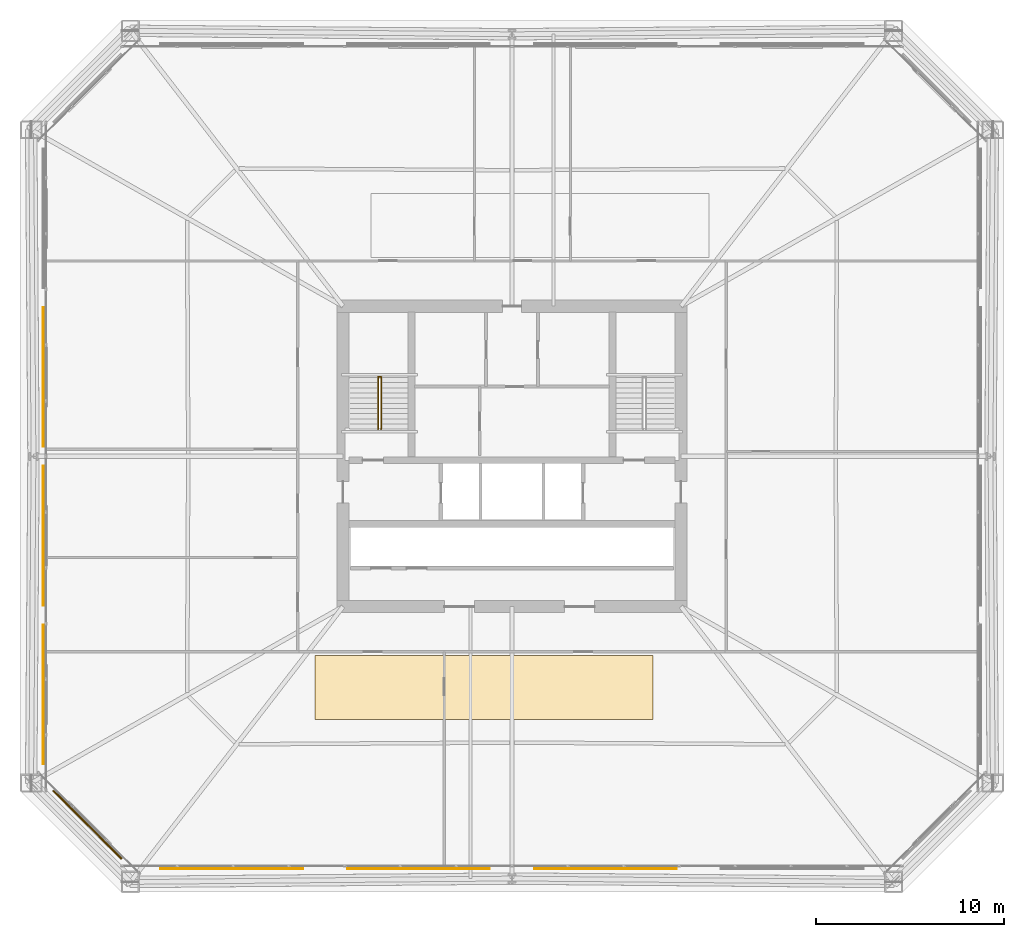
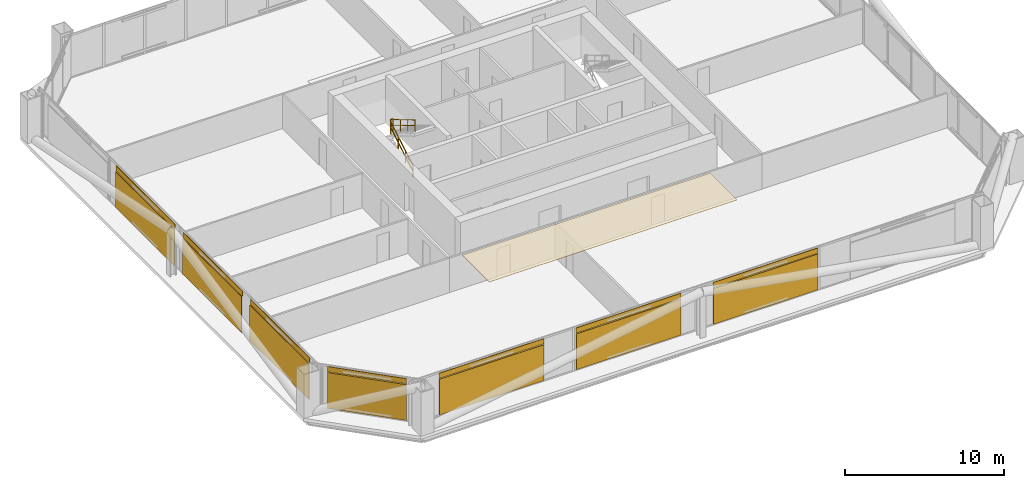
# One storey, part 48 of 50: 8 coverings, 7 shading devices, 3 railings.
"""IFC4 building model written with IfcOpenShell, lengths in metres."""

from ifc_helpers import new_model, si_unit, direction, frame, origin, origin_2d, place, context, subcontext, project, spatial, polyline, rectangle, circle, outline, extrude, material, layer, layer_set, type_object, element, save


model = new_model("IFC4")

# Units and contexts
model_context = context("Model", 3, precision=1e-05, world=origin(), true_north=direction((0.0, 1.0)))
body_context = subcontext(model_context, "Body", "Model", "MODEL_VIEW")
ifc_project = project(units=[si_unit("LENGTHUNIT", "METRE"), si_unit("AREAUNIT", "SQUARE_METRE"), si_unit("VOLUMEUNIT", "CUBIC_METRE"), si_unit("PLANEANGLEUNIT", "RADIAN"), si_unit("MASSUNIT", "GRAM", prefix="KILO")], contexts=[model_context])

# Site, building, storey
site_placement = place(None, origin())
site = spatial("IfcSite", under=ifc_project, at=site_placement, CompositionType="ELEMENT")
building_placement = place(site_placement, origin())
building = spatial("IfcBuilding", under=site, at=building_placement, Name="Caelvoria Tower", CompositionType="ELEMENT")
storey_placement = place(building_placement, frame((0.0, 0.0, 71.199951171875)))
storey = spatial("IfcBuildingStorey", under=building, at=storey_placement, Name="L18", CompositionType="ELEMENT", Elevation=71.199951171875)

# Coverings
ifc_material_1 = material(Name="Acoustic Mineral Fibre Tile", Category="gypsum")
ifc_layer_1 = layer(ifc_material_1, 0.02490234375, Name="Acoustic Mineral Fibre Tile")
ifc_layer_set_1 = layer_set([ifc_layer_1], Name="Mineral-Fibre Acoustic Suspended Ceiling 25 - Acoustic Mineral Fibre Tile")
covering_type_1 = type_object("IfcCoveringType", Name="Mineral-Fibre Acoustic Suspended Ceiling 25", PredefinedType="CEILING", material=ifc_layer_set_1)
covering_1_placement = place(storey_placement, frame((0.0, 0.0, 2.635009765625)))
element("IfcCovering", 1, at=covering_1_placement, inside=storey, type_object=covering_type_1, Name="Suspended Acoustic Ceiling L18", PredefinedType="CEILING", context=body_context, shape_type="SweptSolid", body=[
    extrude(outline(polyline([(35.5, 18.0), (53.5, 18.0), (53.5, 21.39990234375), (35.5, 21.39990234375), (35.5, 18.0)])), origin(), (0.0, 0.0, 1.0), 0.025146484375),
])
ifc_material_2 = material(Name="Perforated Architectural Bronze Cladding Screen", Category="bronze")
ifc_layer_2 = layer(ifc_material_2, 0.0400390625, Name="Perforated Architectural Bronze Cladding Screen")
ifc_layer_set_2 = layer_set([ifc_layer_2], Name="Perforated Bronze Louvre Cladding Band 40 - Perforated Architectural Bronze Cladding Screen")
covering_type_2 = type_object("IfcCoveringType", Name="Perforated Bronze Louvre Cladding Band 40", PredefinedType="CLADDING", material=ifc_layer_set_2)
for number, where, z_axis, x_axis, name in (
    (2, (31.074951171875, 10.077880859375, 2.940185546875), (0.0, 0.0, 1.0), (1.0, 0.0, 0.0), "Perforated Bronze Screen Band L18-E0-00"),
    (3, (41.02490234375, 10.077880859375, 2.940185546875), (0.0, 0.0, 1.0), (1.0, 0.0, 0.0), "Perforated Bronze Screen Band L18-E0-01"),
    (4, (50.97509765625, 10.077880859375, 2.940185546875), (0.0, 0.0, 1.0), (1.0, 0.0, 0.0), "Perforated Bronze Screen Band L18-E0-02"),
):
    element("IfcCovering", number, at=place(storey_placement, frame(where, z_axis=z_axis, x_axis=x_axis)), inside=storey, type_object=covering_type_2, Name=name, PredefinedType="CLADDING", context=body_context, shape_type="SweptSolid", body=[
        extrude(rectangle(XDim=7.60009765625, YDim=0.0400390625, at=origin_2d()), origin(), (0.0, 0.0, 1.0), 0.39990234375),
    ])
for number, where, z_axis, x_axis, name in (
    (5, (21.077880859375, 36.22509765625, 2.940185546875), (0.0, 0.0, 1.0), (0.0, -1.0, 0.0), "Perforated Bronze Screen Band L18-E6-01"),
    (6, (21.077880859375, 27.77490234375, 2.940185546875), (0.0, 0.0, 1.0), (0.0, -1.0, 0.0), "Perforated Bronze Screen Band L18-E6-02"),
    (7, (21.077880859375, 19.324951171875, 2.940185546875), (0.0, 0.0, 1.0), (0.0, -1.0, 0.0), "Perforated Bronze Screen Band L18-E6-03"),
):
    element("IfcCovering", number, at=place(storey_placement, frame(where, z_axis=z_axis, x_axis=x_axis)), inside=storey, type_object=covering_type_2, Name=name, PredefinedType="CLADDING", context=body_context, shape_type="SweptSolid", body=[
        extrude(rectangle(XDim=7.43603515625, YDim=0.0400390625, at=origin_2d()), origin(), (0.0, 0.0, 1.0), 0.39990234375),
    ])
covering_2_placement = place(storey_placement, frame((23.40380859375, 12.40380859375, 2.940185546875), z_axis=(0.0, 0.0, 1.0), x_axis=(0.707106781187, -0.707106781187, 0.0)))
element("IfcCovering", 8, at=covering_2_placement, inside=storey, type_object=covering_type_2, Name="Perforated Bronze Screen Band L18-E7-00", PredefinedType="CLADDING", context=body_context, shape_type="SweptSolid", body=[
    extrude(rectangle(XDim=5.13623046875, YDim=0.0400390625, at=origin_2d()), origin(), (0.0, 0.0, 1.0), 0.39990234375),
])

# Shading devices
ifc_material_3 = material(Name="Perforated Architectural Bronze Alloy Panel", Category="bronze")
ifc_layer_3 = layer(ifc_material_3, 0.044921875, Name="Perforated Architectural Bronze Alloy Panel")
ifc_layer_set_3 = layer_set([ifc_layer_3], Name="Perforated Bronze Solar Screen Panel SCREEN - Perforated Architectural Bronze Alloy Panel")
shading_device_type = type_object("IfcShadingDeviceType", Name="Perforated Bronze Solar Screen Panel SCREEN", PredefinedType="USERDEFINED", material=ifc_layer_set_3)
for number, where, z_axis, x_axis, name in (
    (9, (31.074951171875, 10.034912109375, 0.16015625), (0.0, 0.0, 1.0), (1.0, 0.0, 0.0), "Perforated Bronze Solar Screen L18-E0-00"),
    (10, (41.02490234375, 10.034912109375, 0.16015625), (0.0, 0.0, 1.0), (1.0, 0.0, 0.0), "Perforated Bronze Solar Screen L18-E0-01"),
    (11, (50.97509765625, 10.034912109375, 0.16015625), (0.0, 0.0, 1.0), (1.0, 0.0, 0.0), "Perforated Bronze Solar Screen L18-E0-02"),
):
    element("IfcShadingDevice", number, at=place(storey_placement, frame(where, z_axis=z_axis, x_axis=x_axis)), inside=storey, type_object=shading_device_type, Name=name, ObjectType="SCREEN", PredefinedType="USERDEFINED", context=body_context, shape_type="SweptSolid", body=[
        extrude(rectangle(XDim=7.60009765625, YDim=0.044921875, at=origin_2d()), origin(), (0.0, 0.0, 1.0), 2.75),
    ])
for number, where, z_axis, x_axis, name in (
    (12, (21.034912109375, 36.22509765625, 0.16015625), (0.0, 0.0, 1.0), (0.0, -1.0, 0.0), "Perforated Bronze Solar Screen L18-E6-01"),
    (13, (21.034912109375, 27.77490234375, 0.16015625), (0.0, 0.0, 1.0), (0.0, -1.0, 0.0), "Perforated Bronze Solar Screen L18-E6-02"),
    (14, (21.034912109375, 19.324951171875, 0.16015625), (0.0, 0.0, 1.0), (0.0, -1.0, 0.0), "Perforated Bronze Solar Screen L18-E6-03"),
):
    element("IfcShadingDevice", number, at=place(storey_placement, frame(where, z_axis=z_axis, x_axis=x_axis)), inside=storey, type_object=shading_device_type, Name=name, ObjectType="SCREEN", PredefinedType="USERDEFINED", context=body_context, shape_type="SweptSolid", body=[
        extrude(rectangle(XDim=7.43603515625, YDim=0.044921875, at=origin_2d()), origin(), (0.0, 0.0, 1.0), 2.75),
    ])
shading_device_placement = place(storey_placement, frame((23.373291015625, 12.373291015625, 0.16015625), z_axis=(0.0, 0.0, 1.0), x_axis=(0.707106781187, -0.707106781187, 0.0)))
element("IfcShadingDevice", 15, at=shading_device_placement, inside=storey, type_object=shading_device_type, Name="Perforated Bronze Solar Screen L18-E7-00", ObjectType="SCREEN", PredefinedType="USERDEFINED", context=body_context, shape_type="SweptSolid", body=[
    extrude(rectangle(XDim=5.13623046875, YDim=0.044921875, at=origin_2d()), origin(), (0.0, 0.0, 1.0), 2.75),
])

# Railings
ifc_material_4 = material(Name="Brushed Stainless Steel Tube", Category="steel")
railing_type_1 = type_object("IfcRailingType", Name="Stair Tubular Stainless Handrail 920", PredefinedType="HANDRAIL", material=ifc_material_4)
railing_1_placement = place(storey_placement, frame((38.8701171875, 33.449951171875, 0.16357421875)))
element("IfcRailing", 16, at=railing_1_placement, inside=storey, type_object=railing_type_1, Name="ST-01 Flight 1 Handrail L18", PredefinedType="HANDRAIL", context=body_context, shape_type="SweptSolid", body=[
    extrude(circle(Radius=0.02392578125, at=origin_2d()), frame((0.0, 0.0, 0.89599609375), z_axis=(0.0, 0.859351957796, 0.511384603436), x_axis=(-1.0, 0.0, 0.0)), (0.0, 0.0, 1.0), 3.2001953125),
    extrude(circle(Radius=0.02392578125, at=origin_2d()), frame((0.0, 0.0, 0.4599609375), z_axis=(0.0, 0.859351957796, 0.511384603436), x_axis=(-1.0, 0.0, 0.0)), (0.0, 0.0, 1.0), 3.2001953125),
    extrude(circle(Radius=0.02099609375, at=origin_2d()), origin(), (0.0, 0.0, 1.0), 0.871826171875),
    extrude(circle(Radius=0.02099609375, at=origin_2d()), frame((0.0, 0.916748046875, 0.54541015625)), (0.0, 0.0, 1.0), 0.871826171875),
    extrude(circle(Radius=0.02099609375, at=origin_2d()), frame((0.0, 1.833251953125, 1.091064453125)), (0.0, 0.0, 1.0), 0.871826171875),
    extrude(circle(Radius=0.02099609375, at=origin_2d()), frame((0.0, 2.75, 1.636474609375)), (0.0, 0.0, 1.0), 0.871826171875),
])
railing_2_placement = place(storey_placement, frame((39.030029296875, 36.199951171875, 1.963623046875)))
element("IfcRailing", 17, at=railing_2_placement, inside=storey, type_object=railing_type_1, Name="ST-01 Flight 2 Handrail L18", PredefinedType="HANDRAIL", context=body_context, shape_type="SweptSolid", body=[
    extrude(circle(Radius=0.02392578125, at=origin_2d()), frame((0.0, 0.0, 0.89599609375), z_axis=(0.0, -0.859351957796, 0.511384603436), x_axis=(1.0, 0.0, 0.0)), (0.0, 0.0, 1.0), 3.2001953125),
    extrude(circle(Radius=0.02392578125, at=origin_2d()), frame((0.0, 0.0, 0.4599609375), z_axis=(0.0, -0.859351957796, 0.511384603436), x_axis=(1.0, 0.0, 0.0)), (0.0, 0.0, 1.0), 3.2001953125),
    extrude(circle(Radius=0.02099609375, at=origin_2d()), origin(), (0.0, 0.0, 1.0), 0.871826171875),
    extrude(circle(Radius=0.02099609375, at=origin_2d()), frame((0.0, -0.916748046875, 0.54541015625)), (0.0, 0.0, 1.0), 0.871826171875),
    extrude(circle(Radius=0.02099609375, at=origin_2d()), frame((0.0, -1.833251953125, 1.091064453125)), (0.0, 0.0, 1.0), 0.871826171875),
    extrude(circle(Radius=0.02099609375, at=origin_2d()), frame((0.0, -2.75, 1.636474609375)), (0.0, 0.0, 1.0), 0.871826171875),
])
ifc_material_5 = material(Name="Brushed Stainless Steel Guardrail", Category="steel")
railing_type_2 = type_object("IfcRailingType", Name="Stair Well and Ramp Guardrail 1120", PredefinedType="GUARDRAIL", material=ifc_material_5)
railing_3_placement = place(storey_placement, frame((38.8701171875, 36.239990234375, 1.800048828125)))
element("IfcRailing", 18, at=railing_3_placement, inside=storey, type_object=railing_type_2, Name="ST-01 Half-Landing Well Guard L18", PredefinedType="GUARDRAIL", context=body_context, shape_type="SweptSolid", body=[
    extrude(circle(Radius=0.02392578125, at=origin_2d()), frame((0.0, 0.0, 1.09619140625), z_axis=(1.0, 0.0, 0.0), x_axis=(0.0, 1.0, 0.0)), (0.0, 0.0, 1.0), 0.159912109375),
    extrude(circle(Radius=0.02392578125, at=origin_2d()), frame((0.0, 0.0, 0.56005859375), z_axis=(1.0, 0.0, 0.0), x_axis=(0.0, 1.0, 0.0)), (0.0, 0.0, 1.0), 0.159912109375),
    extrude(circle(Radius=0.02099609375, at=origin_2d()), origin(), (0.0, 0.0, 1.0), 1.072021484375),
    extrude(circle(Radius=0.02099609375, at=origin_2d()), frame((0.159912109375, 0.0, 0.0)), (0.0, 0.0, 1.0), 1.072021484375),
])

save(model, "model.ifc")
